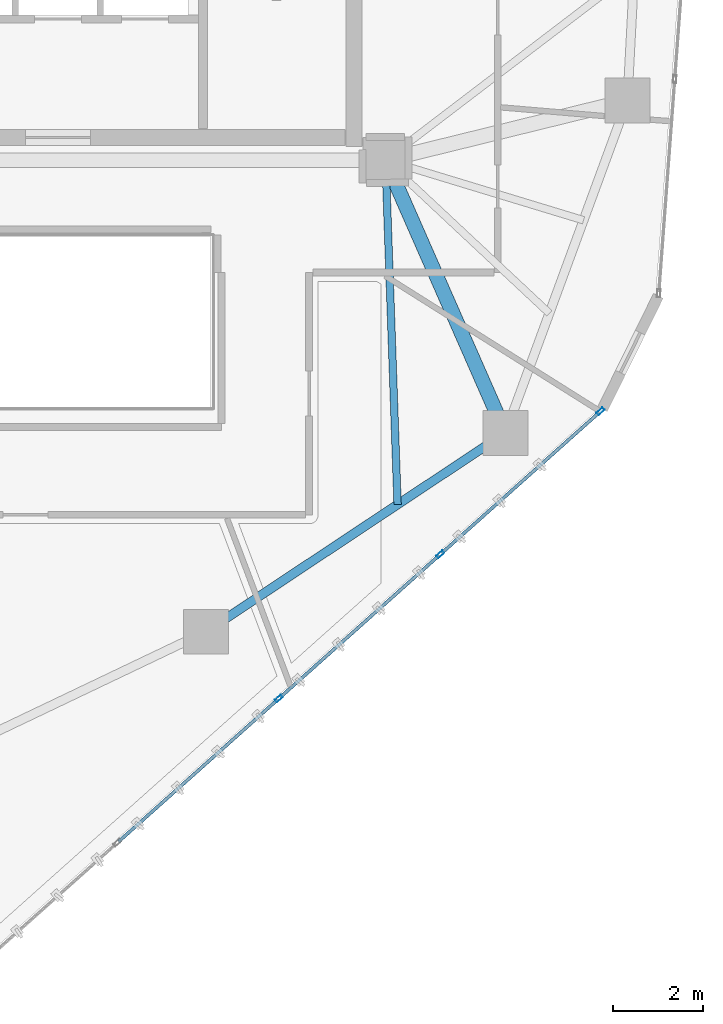
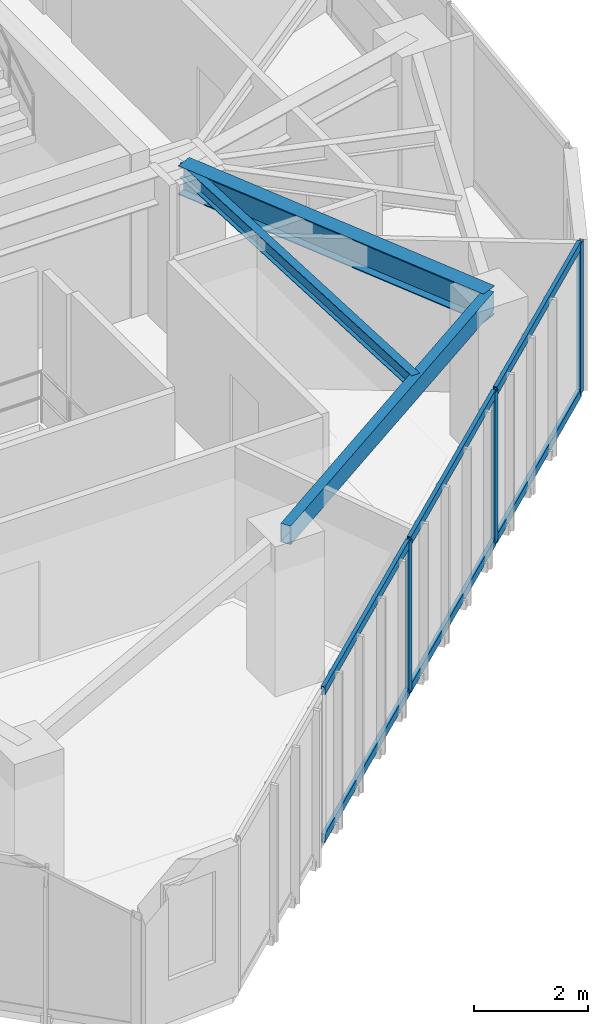
# One storey, part 5 of 20: 9 members, 3 beams, 1 element without a shape of its own.
"""IFC4 building model written with IfcOpenShell, lengths in metres."""

from ifc_helpers import new_model, si_unit, direction, frame, origin, origin_2d, place, context, subcontext, project, spatial, hollow_rectangle, i_section, extrude, source, transform, mapped, material, layer, layer_set, material_profile, profile_set, type_object, type_shapes, element, aggregate, save


model = new_model("IFC4")

# Units and contexts
model_context = context("Model", 3, precision=1e-05, world=origin(), true_north=direction((0.0, 1.0)))
body_context = subcontext(model_context, "Body", "Model", "MODEL_VIEW")
ifc_project = project(units=[si_unit("LENGTHUNIT", "METRE"), si_unit("AREAUNIT", "SQUARE_METRE"), si_unit("VOLUMEUNIT", "CUBIC_METRE"), si_unit("PLANEANGLEUNIT", "RADIAN"), si_unit("MASSUNIT", "GRAM", prefix="KILO")], contexts=[model_context])

# Site, building, storey
site_placement = place(None, origin())
site = spatial("IfcSite", under=ifc_project, at=site_placement, CompositionType="ELEMENT")
building_placement = place(site_placement, origin())
building = spatial("IfcBuilding", under=site, at=building_placement, Name="Talar Marvaseh", CompositionType="ELEMENT")
storey_placement = place(building_placement, frame((0.0, 0.0, 215.199951171875)))
storey = spatial("IfcBuildingStorey", under=building, at=storey_placement, Name="L56", CompositionType="ELEMENT", Elevation=215.199951171875)

# Beams
ifc_material_1 = material(Name="Steel S355", Category="steel")
ifc_material_profile_1 = material_profile(ifc_material_1, hollow_rectangle(XDim=0.199951171875, YDim=0.39990234375, WallThickness=0.013916015625, at=origin_2d()), Name="RHS400x200x14")
ifc_profile_set_1 = profile_set([ifc_material_profile_1], Name="Steel S355")
beam_type_1 = type_object("IfcBeamType", Name="Zone 3 Perimeter Spandrel Beam RHS400x200x14", PredefinedType="SPANDREL", material=ifc_profile_set_1)
beam_1_placement = place(storey_placement, frame((35.970947265625, 19.423095703125, 3.030029296875), z_axis=(-0.833127464163, -0.553081032452, 0.0), x_axis=(0.553081032452, -0.833127464163, 0.0)))
element("IfcBeam", 1, at=beam_1_placement, inside=storey, type_object=beam_type_1, Name="L56 Zone 3 Perimeter Spandrel Beam RHS400x200x14", PredefinedType="SPANDREL", context=body_context, shape_type="SweptSolid", body=[
    extrude(hollow_rectangle(XDim=0.199951171875, YDim=0.39990234375, WallThickness=0.013916015625, at=origin_2d()), origin(), (0.0, 0.0, 1.0), 8.00830078125),
])
ifc_material_profile_2 = material_profile(ifc_material_1, i_section(OverallWidth=0.324951171875, OverallDepth=0.615966796875, WebThickness=0.013916015625, FlangeThickness=0.021484375, at=origin_2d()), Name="W610x174")
ifc_profile_set_2 = profile_set([ifc_material_profile_2], Name="Steel S355")
beam_type_2 = type_object("IfcBeamType", Name="Zone 3 Radial Floor Girder W610x174", PredefinedType="BEAM", material=ifc_profile_set_2)
beam_2_placement = place(storey_placement, frame((35.970947265625, 19.423095703125, 2.922119140625), z_axis=(-0.402367581672, 0.91547819702, 0.0), x_axis=(-0.91547819702, -0.402367581672, 0.0)))
element("IfcBeam", 2, at=beam_2_placement, inside=storey, type_object=beam_type_2, Name="L56 Zone 3 Radial Floor Girder W610x174", PredefinedType="BEAM", context=body_context, shape_type="SweptSolid", body=[
    extrude(i_section(OverallWidth=0.324951171875, OverallDepth=0.615966796875, WebThickness=0.013916015625, FlangeThickness=0.021484375, at=origin_2d()), origin(), (0.0, 0.0, 1.0), 6.637939453125),
])
ifc_material_profile_3 = material_profile(ifc_material_1, i_section(OverallWidth=0.166015625, OverallDepth=0.31298828125, WebThickness=0.006591796875, FlangeThickness=0.01123046875, at=origin_2d()), Name="W310x45")
ifc_profile_set_3 = profile_set([ifc_material_profile_3], Name="Steel S355")
beam_type_3 = type_object("IfcBeamType", Name="Zone 3 Secondary Floor Joist W310x45", PredefinedType="JOIST", material=ifc_profile_set_3)
beam_3_placement = place(storey_placement, frame((33.569091796875, 17.82861328125, 3.073486328125), z_axis=(-0.035049421089, 0.999385580285, 0.0), x_axis=(-0.999385580285, -0.035049421089, 0.0)))
element("IfcBeam", 3, at=beam_3_placement, inside=storey, type_object=beam_type_3, Name="L56 Zone 3 Secondary Floor Joist W310x45", PredefinedType="JOIST", context=body_context, shape_type="SweptSolid", body=[
    extrude(i_section(OverallWidth=0.166015625, OverallDepth=0.31298828125, WebThickness=0.006591796875, FlangeThickness=0.01123046875, at=origin_2d()), origin(), (0.0, 0.0, 1.0), 7.676025390625),
])

# Curtain wall, members
ifc_material_2 = material(Name="Architectural Aluminium", Category="aluminium")
ifc_layer = layer(ifc_material_2, 0.18994140625)
ifc_layer_set = layer_set([ifc_layer], Name="Architectural Aluminium")
curtain_wall_type = type_object("IfcCurtainWallType", Name="Unitised Solar Atelier Curtain Wall Z3", PredefinedType="NOTDEFINED", material=ifc_layer_set)
curtain_wall_placement = place(storey_placement, origin())
curtain_wall = element("IfcCurtainWall", 4, at=curtain_wall_placement, inside=storey, type_object=curtain_wall_type, Name="L56 Unitised Solar Atelier Curtain Wall Z3", PredefinedType="NOTDEFINED")
ifc_material_profile_4 = material_profile(ifc_material_2, hollow_rectangle(XDim=0.074951171875, YDim=0.179931640625, WallThickness=0.0048828125, at=origin_2d()), Name="RHS180x75x5")
ifc_profile_set_4 = profile_set([ifc_material_profile_4], Name="Architectural Aluminium")
member_type_1 = type_object("IfcMemberType", Name="Unitised Curtain Wall Standard Mullion RHS180x75x5", PredefinedType="MULLION", material=ifc_profile_set_4)
shared_shape_1 = source(origin(), body_context, "Body", "SweptSolid", [
    extrude(hollow_rectangle(XDim=0.074951171875, YDim=0.179931640625, WallThickness=0.0048828125, at=origin_2d()), origin(), (0.0, 0.0, 1.0), 3.22998046875),
])
type_shapes(member_type_1, [shared_shape_1])
member_1_placement = place(storey_placement, frame((38.089599609375, 19.90478515625, 0.0), z_axis=(0.0, 0.0, 1.0), x_axis=(0.665997945274, -0.74595357556, 0.0)))
member_1 = element("IfcMember", 5, at=member_1_placement, type_object=member_type_1, Name="CW-Z3 mullion 1", PredefinedType="MULLION", context=body_context, shape_type="MappedRepresentation", body=[
    mapped(shared_shape_1, transform((0.0, 0.0, 0.0), x_axis=(1.0, 0.0, 0.0), y_axis=(0.0, 1.0, 0.0), z_axis=(0.0, 0.0, 1.0), scale=1.0)),
])
member_2_placement = place(storey_placement, frame((34.5205078125, 16.71826171875, 0.0), z_axis=(0.0, 0.0, 1.0), x_axis=(0.665997945274, -0.74595357556, 0.0)))
member_2 = element("IfcMember", 6, at=member_2_placement, type_object=member_type_1, Name="CW-Z3 mullion 2", PredefinedType="MULLION", context=body_context, shape_type="MappedRepresentation", body=[
    mapped(shared_shape_1, transform((0.0, 0.0, 0.0), x_axis=(1.0, 0.0, 0.0), y_axis=(0.0, 1.0, 0.0), z_axis=(0.0, 0.0, 1.0), scale=1.0)),
])
member_3_placement = place(storey_placement, frame((30.92333984375, 13.5068359375, 0.0), z_axis=(0.0, 0.0, 1.0), x_axis=(0.665997945274, -0.74595357556, 0.0)))
member_3 = element("IfcMember", 7, at=member_3_placement, type_object=member_type_1, Name="CW-Z3 mullion 3", PredefinedType="MULLION", context=body_context, shape_type="MappedRepresentation", body=[
    mapped(shared_shape_1, transform((0.0, 0.0, 0.0), x_axis=(1.0, 0.0, 0.0), y_axis=(0.0, 1.0, 0.0), z_axis=(0.0, 0.0, 1.0), scale=1.0)),
])
ifc_material_profile_5 = material_profile(ifc_material_2, hollow_rectangle(XDim=0.074951171875, YDim=0.179931640625, WallThickness=0.0048828125, at=origin_2d()), Name="RHS180x75x5")
ifc_profile_set_5 = profile_set([ifc_material_profile_5], Name="Architectural Aluminium")
member_type_2 = type_object("IfcMemberType", Name="Unitised Curtain Wall Transom RHS180x75x5", PredefinedType="USERDEFINED", material=ifc_profile_set_5)
shared_shape_2 = source(origin(), body_context, "Body", "SweptSolid", [
    extrude(hollow_rectangle(XDim=0.074951171875, YDim=0.179931640625, WallThickness=0.0048828125, at=origin_2d()), origin(), (0.0, 0.0, 1.0), 4.70947265625),
])
member_4_placement = place(storey_placement, frame((38.0615234375, 19.8798828125, 0.03759765625), z_axis=(-0.745968933684, -0.665980742949, 0.0), x_axis=(0.665980742949, -0.745968933684, 0.0)))
member_4 = element("IfcMember", 8, at=member_4_placement, type_object=member_type_2, Name="CW-Z3 transom 1.1", ObjectType="TRANSOM", PredefinedType="USERDEFINED", context=body_context, shape_type="MappedRepresentation", body=[
    mapped(shared_shape_2, transform((0.0, 0.0, 0.0), x_axis=(1.0, 0.0, 0.0), y_axis=(0.0, 1.0, 0.0), z_axis=(0.0, 0.0, 1.0), scale=1.0)),
])
member_5_placement = place(storey_placement, frame((38.0615234375, 19.8798828125, 3.192626953125), z_axis=(-0.745968933684, -0.665980742949, 0.0), x_axis=(0.665980742949, -0.745968933684, 0.0)))
member_5 = element("IfcMember", 9, at=member_5_placement, type_object=member_type_2, Name="CW-Z3 transom 1.2", ObjectType="TRANSOM", PredefinedType="USERDEFINED", context=body_context, shape_type="MappedRepresentation", body=[
    mapped(shared_shape_2, transform((0.0, 0.0, 0.0), x_axis=(1.0, 0.0, 0.0), y_axis=(0.0, 1.0, 0.0), z_axis=(0.0, 0.0, 1.0), scale=1.0)),
])
shared_shape_3 = source(origin(), body_context, "Body", "SweptSolid", [
    extrude(hollow_rectangle(XDim=0.074951171875, YDim=0.179931640625, WallThickness=0.0048828125, at=origin_2d()), origin(), (0.0, 0.0, 1.0), 4.7470703125),
])
type_shapes(member_type_2, [shared_shape_2, shared_shape_3])
member_6_placement = place(storey_placement, frame((34.492431640625, 16.693359375, 0.03759765625), z_axis=(-0.745937661626, -0.666015769309, 0.0), x_axis=(0.666015769309, -0.745937661626, 0.0)))
member_6 = element("IfcMember", 10, at=member_6_placement, type_object=member_type_2, Name="CW-Z3 transom 2.1", ObjectType="TRANSOM", PredefinedType="USERDEFINED", context=body_context, shape_type="MappedRepresentation", body=[
    mapped(shared_shape_3, transform((0.0, 0.0, 0.0), x_axis=(1.0, 0.0, 0.0), y_axis=(0.0, 1.0, 0.0), z_axis=(0.0, 0.0, 1.0), scale=1.0)),
])
member_7_placement = place(storey_placement, frame((34.492431640625, 16.693359375, 3.192626953125), z_axis=(-0.745937661626, -0.666015769309, 0.0), x_axis=(0.666015769309, -0.745937661626, 0.0)))
member_7 = element("IfcMember", 11, at=member_7_placement, type_object=member_type_2, Name="CW-Z3 transom 2.2", ObjectType="TRANSOM", PredefinedType="USERDEFINED", context=body_context, shape_type="MappedRepresentation", body=[
    mapped(shared_shape_3, transform((0.0, 0.0, 0.0), x_axis=(1.0, 0.0, 0.0), y_axis=(0.0, 1.0, 0.0), z_axis=(0.0, 0.0, 1.0), scale=1.0)),
])
member_8_placement = place(storey_placement, frame((30.8955078125, 13.48193359375, 0.03759765625), z_axis=(-0.745937661626, -0.666015769309, 0.0), x_axis=(0.666015769309, -0.745937661626, 0.0)))
member_8 = element("IfcMember", 12, at=member_8_placement, type_object=member_type_2, Name="CW-Z3 transom 3.1", ObjectType="TRANSOM", PredefinedType="USERDEFINED", context=body_context, shape_type="MappedRepresentation", body=[
    mapped(shared_shape_3, transform((0.0, 0.0, 0.0), x_axis=(1.0, 0.0, 0.0), y_axis=(0.0, 1.0, 0.0), z_axis=(0.0, 0.0, 1.0), scale=1.0)),
])
member_9_placement = place(storey_placement, frame((30.8955078125, 13.48193359375, 3.192626953125), z_axis=(-0.745937661626, -0.666015769309, 0.0), x_axis=(0.666015769309, -0.745937661626, 0.0)))
member_9 = element("IfcMember", 13, at=member_9_placement, type_object=member_type_2, Name="CW-Z3 transom 3.2", ObjectType="TRANSOM", PredefinedType="USERDEFINED", context=body_context, shape_type="MappedRepresentation", body=[
    mapped(shared_shape_3, transform((0.0, 0.0, 0.0), x_axis=(1.0, 0.0, 0.0), y_axis=(0.0, 1.0, 0.0), z_axis=(0.0, 0.0, 1.0), scale=1.0)),
])
aggregate(curtain_wall, [member_1, member_2, member_3, member_4, member_5, member_6, member_7, member_8, member_9])

save(model, "model.ifc")
